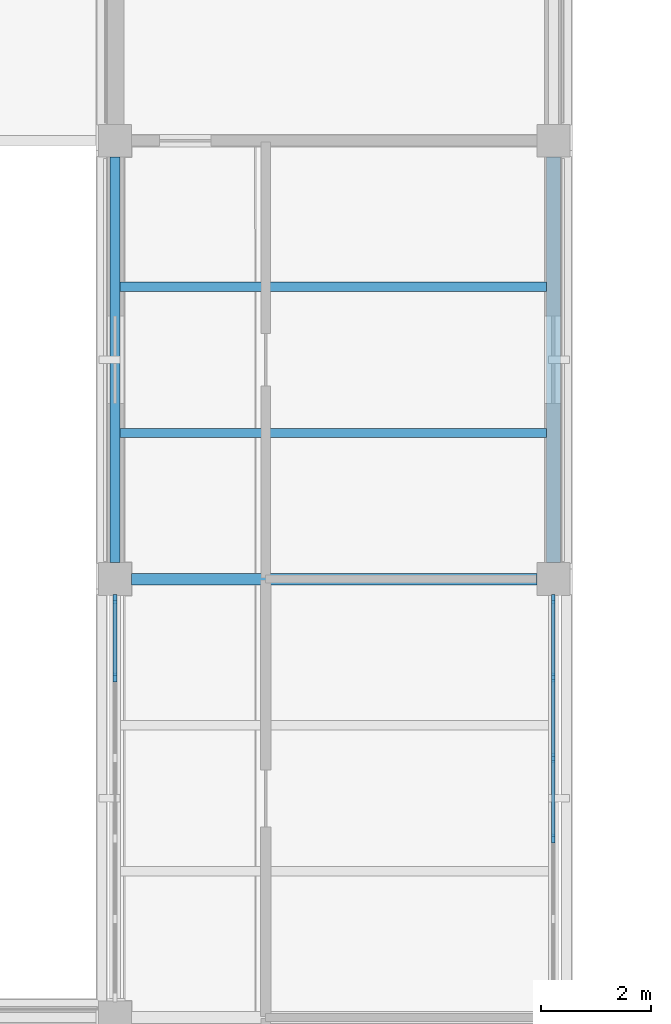
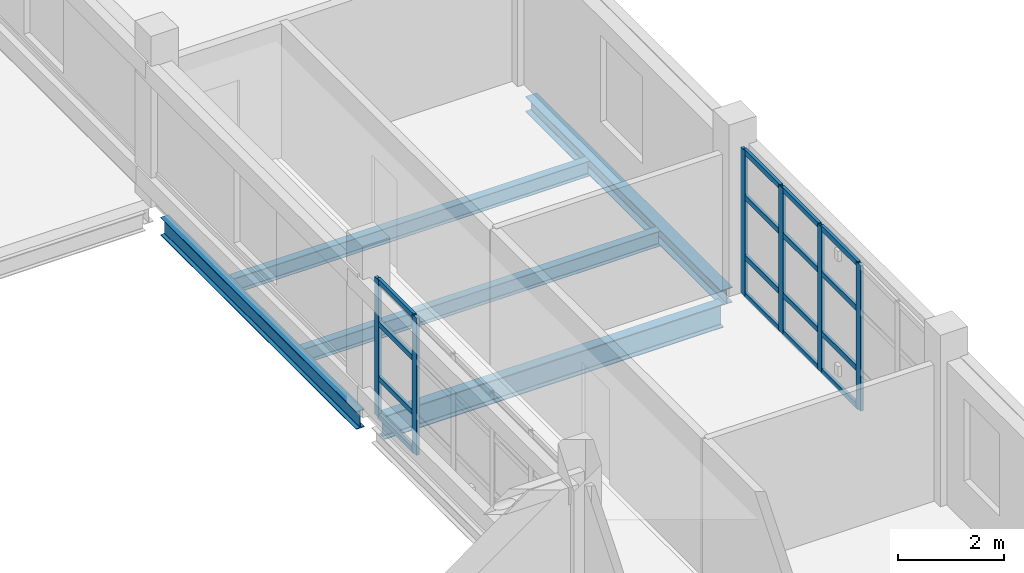
# One storey, part 11 of 126: 22 members, 5 beams, 2 elements without a shape of their own.
"""IFC4 building model written with IfcOpenShell, lengths in metres."""

from ifc_helpers import new_model, si_unit, derived_unit, direction, frame, origin, origin_2d, place, context, subcontext, project, spatial, rectangle, i_section, extrude, material, layer, layer_set, material_profile, profile_set, type_object, element, aggregate, save


model = new_model("IFC4")

# Units and contexts
model_context = context("Model", 3, precision=1e-05, world=origin(), true_north=direction((0.0, 1.0)))
body_context = subcontext(model_context, "Body", "Model", "MODEL_VIEW")
ifc_project = project(units=[si_unit("LENGTHUNIT", "METRE"), si_unit("AREAUNIT", "SQUARE_METRE"), si_unit("VOLUMEUNIT", "CUBIC_METRE"), si_unit("PLANEANGLEUNIT", "RADIAN"), si_unit("MASSUNIT", "GRAM", prefix="KILO"), derived_unit("THERMALTRANSMITTANCEUNIT", [(si_unit("MASSUNIT", "GRAM", prefix="KILO"), 1), (si_unit("TIMEUNIT", "SECOND"), -3), (si_unit("THERMODYNAMICTEMPERATUREUNIT", "KELVIN"), -1)])], contexts=[model_context])

# Site, building, storey
site_placement = place(None, origin())
site = spatial("IfcSite", under=ifc_project, at=site_placement, CompositionType="ELEMENT")
building_placement = place(site_placement, origin())
building = spatial("IfcBuilding", under=site, at=building_placement, Name="Veyamyaing Civic Hall", CompositionType="ELEMENT")
storey_placement = place(building_placement, frame((0.0, 0.0, 9.89990234375)))
storey = spatial("IfcBuildingStorey", under=building, at=storey_placement, Name="L02", CompositionType="ELEMENT", Elevation=9.89990234375)

# Beams
ifc_material_1 = material(Name="Steel ASTM A992", Category="steel")
ifc_material_profile_1 = material_profile(ifc_material_1, i_section(OverallWidth=0.2109375, OverallDepth=0.5390625, WebThickness=0.01171875, FlangeThickness=0.018798828125, FilletRadius=0.011962890625, at=origin_2d()), Name="W530X109")
ifc_profile_set_1 = profile_set([ifc_material_profile_1], Name="Steel ASTM A992")
beam_type_1 = type_object("IfcBeamType", Name="B-17", PredefinedType="BEAM", material=ifc_profile_set_1)
beam_1_placement = place(storey_placement, frame((32.300048828125, 24.0, -0.554443359375), z_axis=(1.0, 0.0, 0.0), x_axis=(0.0, 1.0, 0.0)))
element("IfcBeam", 1, at=beam_1_placement, inside=storey, type_object=beam_type_1, Name="Girder B-17 L02 Grid D 5-6", PredefinedType="BEAM", context=body_context, shape_type="SweptSolid", body=[
    extrude(i_section(OverallWidth=0.2109375, OverallDepth=0.5390625, WebThickness=0.01171875, FlangeThickness=0.018798828125, FilletRadius=0.011962890625, at=origin_2d()), origin(), (0.0, 0.0, 1.0), 7.39990234375),
])
ifc_material_profile_2 = material_profile(ifc_material_1, i_section(OverallWidth=0.180908203125, OverallDepth=0.4169921875, WebThickness=0.010986328125, FlangeThickness=0.018310546875, FilletRadius=0.010009765625, at=origin_2d()), Name="W410X85")
ifc_profile_set_2 = profile_set([ifc_material_profile_2], Name="Steel ASTM A992")
beam_type_2 = type_object("IfcBeamType", Name="B-19", PredefinedType="SPANDREL", material=ifc_profile_set_2)
beam_2_placement = place(storey_placement, frame((32.0, 24.300048828125, -0.493408203125), z_axis=(0.0, 1.0, 0.0), x_axis=(-1.0, 0.0, 0.0)))
element("IfcBeam", 2, at=beam_2_placement, inside=storey, type_object=beam_type_2, Name="Girder B-19 L02 Grid 5 D-E", PredefinedType="SPANDREL", context=body_context, shape_type="SweptSolid", body=[
    extrude(i_section(OverallWidth=0.180908203125, OverallDepth=0.4169921875, WebThickness=0.010986328125, FlangeThickness=0.018310546875, FilletRadius=0.010009765625, at=origin_2d()), origin(), (0.0, 0.0, 1.0), 7.39990234375),
])
ifc_material_profile_3 = material_profile(ifc_material_1, i_section(OverallWidth=0.25390625, OverallDepth=0.35302734375, WebThickness=0.009521484375, FlangeThickness=0.016357421875, FilletRadius=0.011962890625, at=origin_2d()), Name="W360X91")
ifc_profile_set_3 = profile_set([ifc_material_profile_3], Name="Steel ASTM A992")
beam_type_3 = type_object("IfcBeamType", Name="B-20", PredefinedType="SPANDREL", material=ifc_profile_set_3)
beam_3_placement = place(storey_placement, frame((40.0, 24.300048828125, -0.46142578125), z_axis=(0.0, 1.0, 0.0), x_axis=(-1.0, 0.0, 0.0)))
element("IfcBeam", 3, at=beam_3_placement, inside=storey, type_object=beam_type_3, Name="Girder B-20 L02 Grid 6 D-E", PredefinedType="SPANDREL", context=body_context, shape_type="SweptSolid", body=[
    extrude(i_section(OverallWidth=0.25390625, OverallDepth=0.35302734375, WebThickness=0.009521484375, FlangeThickness=0.016357421875, FilletRadius=0.011962890625, at=origin_2d()), origin(), (0.0, 0.0, 1.0), 7.39990234375),
])

# Curtain wall, members
ifc_material_2 = material(Name="Anodised aluminium 6063-T6", Category="aluminium")
ifc_layer = layer(ifc_material_2, 0.159912109375, Name="Anodised aluminium 6063-T6")
ifc_layer_set = layer_set([ifc_layer], Name="Anodised aluminium 6063-T6")
curtain_wall_type = type_object("IfcCurtainWallType", Name="CW-03", PredefinedType="NOTDEFINED", material=ifc_layer_set)
curtain_wall_1_placement = place(storey_placement, origin())
curtain_wall_1 = element("IfcCurtainWall", 4, at=curtain_wall_1_placement, inside=storey, type_object=curtain_wall_type, Name="Unitized curtain wall CW-03 L02 W 5.3", PredefinedType="NOTDEFINED")
ifc_material_profile_4 = material_profile(ifc_material_2, rectangle(XDim=0.06494140625, YDim=0.159912109375, at=origin_2d()), Name="ALU-MUL-65X160")
ifc_profile_set_4 = profile_set([ifc_material_profile_4], Name="Anodised aluminium 6063-T6")
member_type_1 = type_object("IfcMemberType", Name="CWM-01", PredefinedType="MULLION", material=ifc_profile_set_4)
member_1_placement = place(storey_placement, frame((32.0, 22.201904296875, 0.0), z_axis=(0.0, 0.0, 1.0), x_axis=(-1.0, 0.0, 0.0)))
member_1 = element("IfcMember", 5, at=member_1_placement, type_object=member_type_1, Name="CW-03 mullion 5", PredefinedType="MULLION", context=body_context, shape_type="SweptSolid", body=[
    extrude(rectangle(XDim=0.06494140625, YDim=0.159912109375, at=origin_2d()), origin(), (0.0, 0.0, 1.0), 3.173095703125),
])
member_2_placement = place(storey_placement, frame((32.0, 23.637451171875, 0.0), z_axis=(0.0, 0.0, 1.0), x_axis=(-1.0, 0.0, 0.0)))
member_2 = element("IfcMember", 6, at=member_2_placement, type_object=member_type_1, Name="CW-03 mullion 6", PredefinedType="MULLION", context=body_context, shape_type="SweptSolid", body=[
    extrude(rectangle(XDim=0.06494140625, YDim=0.159912109375, at=origin_2d()), origin(), (0.0, 0.0, 1.0), 3.173095703125),
])

curtain_wall_2_placement = place(storey_placement, origin())
curtain_wall_2 = element("IfcCurtainWall", 7, at=curtain_wall_2_placement, inside=storey, type_object=curtain_wall_type, Name="Unitized curtain wall CW-03 L02 E 5.3", PredefinedType="NOTDEFINED")
member_3_placement = place(storey_placement, frame((40.0, 19.26611328125, 0.0), z_axis=(0.0, 0.0, 1.0), x_axis=(-1.0, 0.0, 0.0)))
member_3 = element("IfcMember", 8, at=member_3_placement, type_object=member_type_1, Name="CW-03 mullion 3", PredefinedType="MULLION", context=body_context, shape_type="SweptSolid", body=[
    extrude(rectangle(XDim=0.06494140625, YDim=0.159912109375, at=origin_2d()), origin(), (0.0, 0.0, 1.0), 3.359130859375),
])
member_4_placement = place(storey_placement, frame((40.0, 20.73388671875, 0.0), z_axis=(0.0, 0.0, 1.0), x_axis=(-1.0, 0.0, 0.0)))
member_4 = element("IfcMember", 9, at=member_4_placement, type_object=member_type_1, Name="CW-03 mullion 4", PredefinedType="MULLION", context=body_context, shape_type="SweptSolid", body=[
    extrude(rectangle(XDim=0.06494140625, YDim=0.159912109375, at=origin_2d()), origin(), (0.0, 0.0, 1.0), 3.359130859375),
])
member_5_placement = place(storey_placement, frame((40.0, 22.201904296875, 0.0), z_axis=(0.0, 0.0, 1.0), x_axis=(-1.0, 0.0, 0.0)))
member_5 = element("IfcMember", 10, at=member_5_placement, type_object=member_type_1, Name="CW-03 mullion 5", PredefinedType="MULLION", context=body_context, shape_type="SweptSolid", body=[
    extrude(rectangle(XDim=0.06494140625, YDim=0.159912109375, at=origin_2d()), origin(), (0.0, 0.0, 1.0), 3.359130859375),
])
member_6_placement = place(storey_placement, frame((40.0, 23.637451171875, 0.0), z_axis=(0.0, 0.0, 1.0), x_axis=(-1.0, 0.0, 0.0)))
member_6 = element("IfcMember", 11, at=member_6_placement, type_object=member_type_1, Name="CW-03 mullion 6", PredefinedType="MULLION", context=body_context, shape_type="SweptSolid", body=[
    extrude(rectangle(XDim=0.06494140625, YDim=0.159912109375, at=origin_2d()), origin(), (0.0, 0.0, 1.0), 3.359130859375),
])

# Member
ifc_material_profile_5 = material_profile(ifc_material_2, rectangle(XDim=0.06494140625, YDim=0.1201171875, at=origin_2d()), Name="ALU-TRN-65X120")
ifc_profile_set_5 = profile_set([ifc_material_profile_5], Name="Anodised aluminium 6063-T6")
member_type_2 = type_object("IfcMemberType", Name="CWT-01", PredefinedType="USERDEFINED", material=ifc_profile_set_5)
member_7_placement = place(storey_placement, frame((32.0, 22.234619140625, 0.03271484375), z_axis=(0.0, 1.0, 0.0), x_axis=(-1.0, 0.0, 0.0)))
member_7 = element("IfcMember", 12, at=member_7_placement, type_object=member_type_2, Name="CW-03 transom 5.1", ObjectType="TRANSOM", PredefinedType="USERDEFINED", context=body_context, shape_type="SweptSolid", body=[
    extrude(rectangle(XDim=0.06494140625, YDim=0.1201171875, at=origin_2d()), origin(), (0.0, 0.0, 1.0), 1.370361328125),
])

member_8_placement = place(storey_placement, frame((32.0, 22.234619140625, 0.900146484375), z_axis=(0.0, 1.0, 0.0), x_axis=(-1.0, 0.0, 0.0)))
member_8 = element("IfcMember", 13, at=member_8_placement, type_object=member_type_2, Name="CW-03 transom 5.2", ObjectType="TRANSOM", PredefinedType="USERDEFINED", context=body_context, shape_type="SweptSolid", body=[
    extrude(rectangle(XDim=0.06494140625, YDim=0.1201171875, at=origin_2d()), origin(), (0.0, 0.0, 1.0), 1.370361328125),
])

member_9_placement = place(storey_placement, frame((32.0, 22.234619140625, 2.15771484375), z_axis=(0.0, 1.0, 0.0), x_axis=(-1.0, 0.0, 0.0)))
member_9 = element("IfcMember", 14, at=member_9_placement, type_object=member_type_2, Name="CW-03 transom 5.3", ObjectType="TRANSOM", PredefinedType="USERDEFINED", context=body_context, shape_type="SweptSolid", body=[
    extrude(rectangle(XDim=0.06494140625, YDim=0.1201171875, at=origin_2d()), origin(), (0.0, 0.0, 1.0), 1.370361328125),
])

member_10_placement = place(storey_placement, frame((32.0, 22.234619140625, 3.140625), z_axis=(0.0, 1.0, 0.0), x_axis=(-1.0, 0.0, 0.0)))
member_10 = element("IfcMember", 15, at=member_10_placement, type_object=member_type_2, Name="CW-03 transom 5.4", ObjectType="TRANSOM", PredefinedType="USERDEFINED", context=body_context, shape_type="SweptSolid", body=[
    extrude(rectangle(XDim=0.06494140625, YDim=0.1201171875, at=origin_2d()), origin(), (0.0, 0.0, 1.0), 1.370361328125),
])

aggregate(curtain_wall_1, [member_1, member_2, member_7, member_8, member_9, member_10])

member_11_placement = place(storey_placement, frame((40.0, 19.298583984375, 0.03271484375), z_axis=(0.0, 1.0, 0.0), x_axis=(-1.0, 0.0, 0.0)))
member_11 = element("IfcMember", 16, at=member_11_placement, type_object=member_type_2, Name="CW-03 transom 3.1", ObjectType="TRANSOM", PredefinedType="USERDEFINED", context=body_context, shape_type="SweptSolid", body=[
    extrude(rectangle(XDim=0.06494140625, YDim=0.1201171875, at=origin_2d()), origin(), (0.0, 0.0, 1.0), 1.40283203125),
])

member_12_placement = place(storey_placement, frame((40.0, 19.298583984375, 0.900146484375), z_axis=(0.0, 1.0, 0.0), x_axis=(-1.0, 0.0, 0.0)))
member_12 = element("IfcMember", 17, at=member_12_placement, type_object=member_type_2, Name="CW-03 transom 3.2", ObjectType="TRANSOM", PredefinedType="USERDEFINED", context=body_context, shape_type="SweptSolid", body=[
    extrude(rectangle(XDim=0.06494140625, YDim=0.1201171875, at=origin_2d()), origin(), (0.0, 0.0, 1.0), 1.40283203125),
])

member_13_placement = place(storey_placement, frame((40.0, 19.298583984375, 2.2841796875), z_axis=(0.0, 1.0, 0.0), x_axis=(-1.0, 0.0, 0.0)))
member_13 = element("IfcMember", 18, at=member_13_placement, type_object=member_type_2, Name="CW-03 transom 3.3", ObjectType="TRANSOM", PredefinedType="USERDEFINED", context=body_context, shape_type="SweptSolid", body=[
    extrude(rectangle(XDim=0.06494140625, YDim=0.1201171875, at=origin_2d()), origin(), (0.0, 0.0, 1.0), 1.40283203125),
])

member_14_placement = place(storey_placement, frame((40.0, 19.298583984375, 3.32666015625), z_axis=(0.0, 1.0, 0.0), x_axis=(-1.0, 0.0, 0.0)))
member_14 = element("IfcMember", 19, at=member_14_placement, type_object=member_type_2, Name="CW-03 transom 3.4", ObjectType="TRANSOM", PredefinedType="USERDEFINED", context=body_context, shape_type="SweptSolid", body=[
    extrude(rectangle(XDim=0.06494140625, YDim=0.1201171875, at=origin_2d()), origin(), (0.0, 0.0, 1.0), 1.40283203125),
])

member_15_placement = place(storey_placement, frame((40.0, 20.7666015625, 0.03271484375), z_axis=(0.0, 1.0, 0.0), x_axis=(-1.0, 0.0, 0.0)))
member_15 = element("IfcMember", 20, at=member_15_placement, type_object=member_type_2, Name="CW-03 transom 4.1", ObjectType="TRANSOM", PredefinedType="USERDEFINED", context=body_context, shape_type="SweptSolid", body=[
    extrude(rectangle(XDim=0.06494140625, YDim=0.1201171875, at=origin_2d()), origin(), (0.0, 0.0, 1.0), 1.40283203125),
])

member_16_placement = place(storey_placement, frame((40.0, 20.7666015625, 0.900146484375), z_axis=(0.0, 1.0, 0.0), x_axis=(-1.0, 0.0, 0.0)))
member_16 = element("IfcMember", 21, at=member_16_placement, type_object=member_type_2, Name="CW-03 transom 4.2", ObjectType="TRANSOM", PredefinedType="USERDEFINED", context=body_context, shape_type="SweptSolid", body=[
    extrude(rectangle(XDim=0.06494140625, YDim=0.1201171875, at=origin_2d()), origin(), (0.0, 0.0, 1.0), 1.40283203125),
])

member_17_placement = place(storey_placement, frame((40.0, 20.7666015625, 2.2841796875), z_axis=(0.0, 1.0, 0.0), x_axis=(-1.0, 0.0, 0.0)))
member_17 = element("IfcMember", 22, at=member_17_placement, type_object=member_type_2, Name="CW-03 transom 4.3", ObjectType="TRANSOM", PredefinedType="USERDEFINED", context=body_context, shape_type="SweptSolid", body=[
    extrude(rectangle(XDim=0.06494140625, YDim=0.1201171875, at=origin_2d()), origin(), (0.0, 0.0, 1.0), 1.40283203125),
])

member_18_placement = place(storey_placement, frame((40.0, 20.7666015625, 3.32666015625), z_axis=(0.0, 1.0, 0.0), x_axis=(-1.0, 0.0, 0.0)))
member_18 = element("IfcMember", 23, at=member_18_placement, type_object=member_type_2, Name="CW-03 transom 4.4", ObjectType="TRANSOM", PredefinedType="USERDEFINED", context=body_context, shape_type="SweptSolid", body=[
    extrude(rectangle(XDim=0.06494140625, YDim=0.1201171875, at=origin_2d()), origin(), (0.0, 0.0, 1.0), 1.40283203125),
])

member_19_placement = place(storey_placement, frame((40.0, 22.234619140625, 0.03271484375), z_axis=(0.0, 1.0, 0.0), x_axis=(-1.0, 0.0, 0.0)))
member_19 = element("IfcMember", 24, at=member_19_placement, type_object=member_type_2, Name="CW-03 transom 5.1", ObjectType="TRANSOM", PredefinedType="USERDEFINED", context=body_context, shape_type="SweptSolid", body=[
    extrude(rectangle(XDim=0.06494140625, YDim=0.1201171875, at=origin_2d()), origin(), (0.0, 0.0, 1.0), 1.370361328125),
])

member_20_placement = place(storey_placement, frame((40.0, 22.234619140625, 0.900146484375), z_axis=(0.0, 1.0, 0.0), x_axis=(-1.0, 0.0, 0.0)))
member_20 = element("IfcMember", 25, at=member_20_placement, type_object=member_type_2, Name="CW-03 transom 5.2", ObjectType="TRANSOM", PredefinedType="USERDEFINED", context=body_context, shape_type="SweptSolid", body=[
    extrude(rectangle(XDim=0.06494140625, YDim=0.1201171875, at=origin_2d()), origin(), (0.0, 0.0, 1.0), 1.370361328125),
])

member_21_placement = place(storey_placement, frame((40.0, 22.234619140625, 2.2841796875), z_axis=(0.0, 1.0, 0.0), x_axis=(-1.0, 0.0, 0.0)))
member_21 = element("IfcMember", 26, at=member_21_placement, type_object=member_type_2, Name="CW-03 transom 5.3", ObjectType="TRANSOM", PredefinedType="USERDEFINED", context=body_context, shape_type="SweptSolid", body=[
    extrude(rectangle(XDim=0.06494140625, YDim=0.1201171875, at=origin_2d()), origin(), (0.0, 0.0, 1.0), 1.370361328125),
])

member_22_placement = place(storey_placement, frame((40.0, 22.234619140625, 3.32666015625), z_axis=(0.0, 1.0, 0.0), x_axis=(-1.0, 0.0, 0.0)))
member_22 = element("IfcMember", 27, at=member_22_placement, type_object=member_type_2, Name="CW-03 transom 5.4", ObjectType="TRANSOM", PredefinedType="USERDEFINED", context=body_context, shape_type="SweptSolid", body=[
    extrude(rectangle(XDim=0.06494140625, YDim=0.1201171875, at=origin_2d()), origin(), (0.0, 0.0, 1.0), 1.370361328125),
])

aggregate(curtain_wall_2, [member_3, member_4, member_5, member_6, member_11, member_12, member_13, member_14, member_15, member_16, member_17, member_18, member_19, member_20, member_21, member_22])

# Beams
ifc_material_profile_6 = material_profile(ifc_material_1, i_section(OverallWidth=0.1708984375, OverallDepth=0.35205078125, WebThickness=0.0068359375, FlangeThickness=0.009765625, FilletRadius=0.010009765625, at=origin_2d()), Name="W360X44")
ifc_profile_set_6 = profile_set([ifc_material_profile_6], Name="Steel ASTM A992")
beam_type_4 = type_object("IfcBeamType", Name="J-03", PredefinedType="JOIST", material=ifc_profile_set_6)
for number, where, z_axis, x_axis, name in (
    (28, (32.08837890625, 26.666748046875, -0.4609375), (1.0, 0.0, 0.0), (0.0, 1.0, 0.0), "Composite floor joist J-03 L02 5.4.1"),
    (29, (32.08837890625, 29.333251953125, -0.4609375), (1.0, 0.0, 0.0), (0.0, 1.0, 0.0), "Composite floor joist J-03 L02 5.4.2"),
):
    element("IfcBeam", number, at=place(storey_placement, frame(where, z_axis=z_axis, x_axis=x_axis)), inside=storey, type_object=beam_type_4, Name=name, PredefinedType="JOIST", context=body_context, shape_type="SweptSolid", body=[
        extrude(i_section(OverallWidth=0.1708984375, OverallDepth=0.35205078125, WebThickness=0.0068359375, FlangeThickness=0.009765625, FilletRadius=0.010009765625, at=origin_2d()), origin(), (0.0, 0.0, 1.0), 7.78662109375),
    ])

save(model, "model.ifc")
